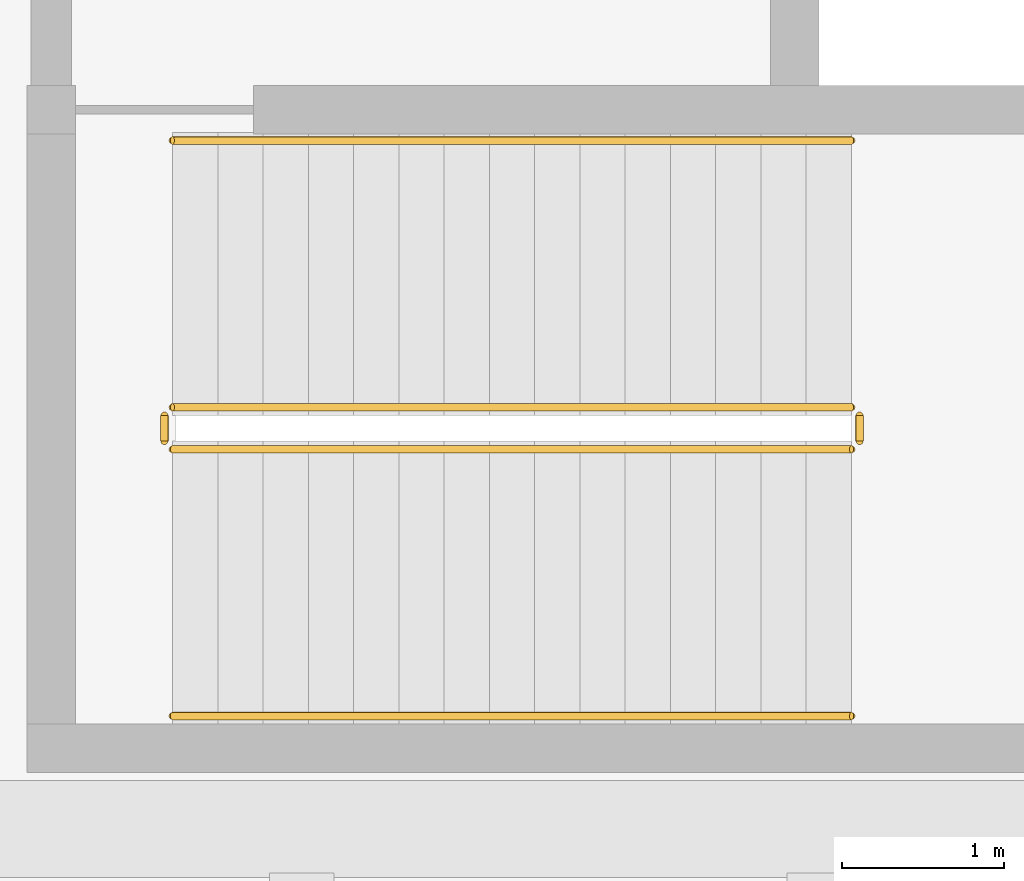
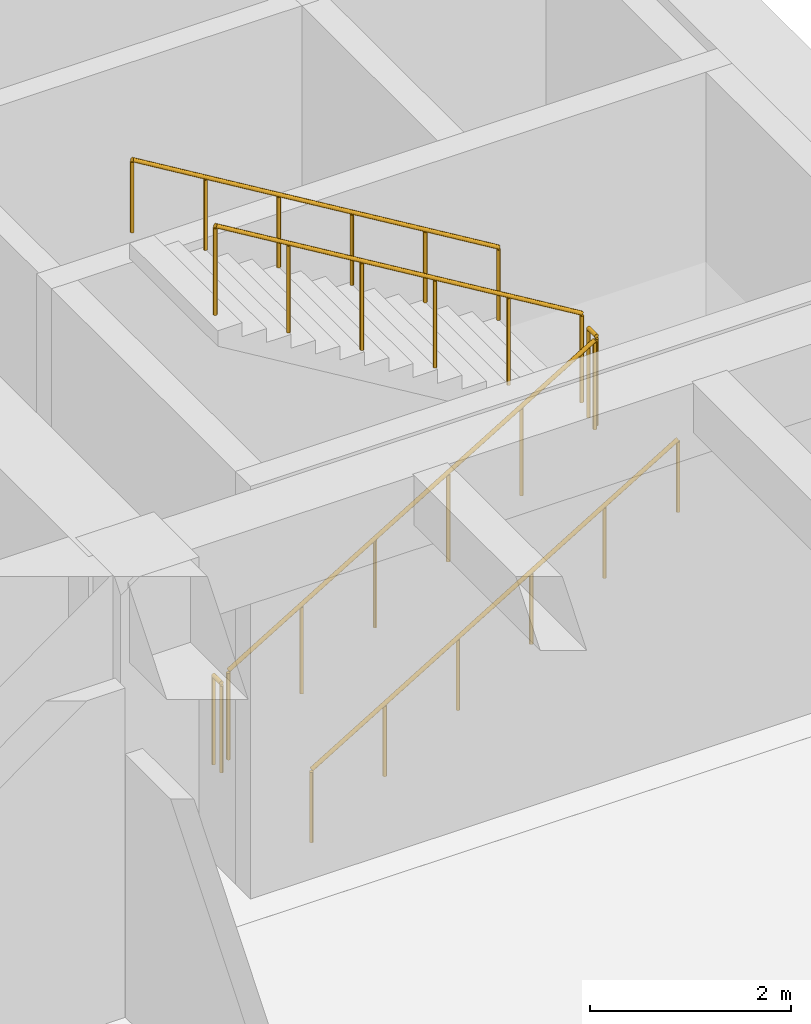
# One storey, part 18 of 19: 6 railings.
"""IFC4 building model written with IfcOpenShell, lengths in metres."""

from ifc_helpers import new_model, si_unit, direction, frame, origin, origin_2d, place, context, subcontext, project, spatial, circle, extrude, material, type_object, element, save


model = new_model("IFC4")

# Units and contexts
model_context = context("Model", 3, precision=1e-05, world=origin(), true_north=direction((0.0, 1.0)))
body_context = subcontext(model_context, "Body", "Model", "MODEL_VIEW")
ifc_project = project(units=[si_unit("LENGTHUNIT", "METRE"), si_unit("AREAUNIT", "SQUARE_METRE"), si_unit("VOLUMEUNIT", "CUBIC_METRE"), si_unit("PLANEANGLEUNIT", "RADIAN"), si_unit("MASSUNIT", "GRAM", prefix="KILO")], contexts=[model_context])

# Site, building, storey
site_placement = place(None, origin())
site = spatial("IfcSite", under=ifc_project, at=site_placement, CompositionType="ELEMENT")
building_placement = place(site_placement, origin())
building = spatial("IfcBuilding", under=site, at=building_placement, Name="Coralgate Yard Interchange", CompositionType="ELEMENT")
storey_placement = place(building_placement, frame((0.0, 0.0, -5.39990234375)))
storey = spatial("IfcBuildingStorey", under=building, at=storey_placement, Name="B1", CompositionType="ELEMENT", Elevation=-5.39990234375)

# Railings
ifc_material_1 = material(Name="Grade 316 marine stainless steel and toughened glass balustrade", Category="steel")
railing_type_1 = type_object("IfcRailingType", Name="RLG-GD1100", PredefinedType="BALUSTRADE", material=ifc_material_1)
railing_1_placement = place(storey_placement, frame((50.39990234375, 79.14990234375, 0.168701171875)))
element("IfcRailing", 1, at=railing_1_placement, inside=storey, type_object=railing_type_1, Name="B1 ST-05 stair guard 1", PredefinedType="BALUSTRADE", context=body_context, shape_type="SweptSolid", body=[
    extrude(circle(Radius=0.02392578125, at=origin_2d()), frame((0.0, 0.0, 1.076171875), z_axis=(0.856489757249, 0.0, 0.516164020179), x_axis=(0.0, 1.0, 0.0)), (0.0, 0.0, 1.0), 4.904052734375),
    extrude(circle(Radius=0.02099609375, at=origin_2d()), origin(), (0.0, 0.0, 1.0), 1.051513671875),
    extrude(circle(Radius=0.02099609375, at=origin_2d()), frame((0.840087890625, 0.0, 0.50634765625)), (0.0, 0.0, 1.0), 1.051513671875),
    extrude(circle(Radius=0.02099609375, at=origin_2d()), frame((1.68017578125, 0.0, 1.012451171875)), (0.0, 0.0, 1.0), 1.051513671875),
    extrude(circle(Radius=0.02099609375, at=origin_2d()), frame((2.52001953125, 0.0, 1.518798828125)), (0.0, 0.0, 1.0), 1.051513671875),
    extrude(circle(Radius=0.02099609375, at=origin_2d()), frame((3.360107421875, 0.0, 2.02490234375)), (0.0, 0.0, 1.0), 1.051513671875),
    extrude(circle(Radius=0.02099609375, at=origin_2d()), frame((4.2001953125, 0.0, 2.53125)), (0.0, 0.0, 1.0), 1.051513671875),
])
railing_2_placement = place(storey_placement, frame((54.64990234375, 79.199951171875, 2.699951171875)))
element("IfcRailing", 2, at=railing_2_placement, inside=storey, type_object=railing_type_1, Name="B1 ST-05 stair guard 2", PredefinedType="BALUSTRADE", context=body_context, shape_type="SweptSolid", body=[
    extrude(circle(Radius=0.02392578125, at=origin_2d()), frame((0.0, 0.0, 1.076171875), z_axis=(0.0, 1.0, 0.0), x_axis=(-1.0, 0.0, 0.0)), (0.0, 0.0, 1.0), 0.16015625),
    extrude(circle(Radius=0.02099609375, at=origin_2d()), origin(), (0.0, 0.0, 1.0), 1.051513671875),
    extrude(circle(Radius=0.02099609375, at=origin_2d()), frame((0.0, 0.16015625, 0.0)), (0.0, 0.0, 1.0), 1.051513671875),
])
railing_3_placement = place(storey_placement, frame((54.60009765625, 79.409912109375, 2.86865234375)))
element("IfcRailing", 3, at=railing_3_placement, inside=storey, type_object=railing_type_1, Name="B1 ST-05 stair guard 3", PredefinedType="BALUSTRADE", context=body_context, shape_type="SweptSolid", body=[
    extrude(circle(Radius=0.02392578125, at=origin_2d()), frame((0.0, 0.0, 1.076171875), z_axis=(-0.856489757249, 0.0, 0.516164020179), x_axis=(0.0, -1.0, 0.0)), (0.0, 0.0, 1.0), 4.904052734375),
    extrude(circle(Radius=0.02099609375, at=origin_2d()), origin(), (0.0, 0.0, 1.0), 1.051513671875),
    extrude(circle(Radius=0.02099609375, at=origin_2d()), frame((-0.840087890625, 0.0, 0.50634765625)), (0.0, 0.0, 1.0), 1.051513671875),
    extrude(circle(Radius=0.02099609375, at=origin_2d()), frame((-1.68017578125, 0.0, 1.012451171875)), (0.0, 0.0, 1.0), 1.051513671875),
    extrude(circle(Radius=0.02099609375, at=origin_2d()), frame((-2.52001953125, 0.0, 1.518798828125)), (0.0, 0.0, 1.0), 1.051513671875),
    extrude(circle(Radius=0.02099609375, at=origin_2d()), frame((-3.360107421875, 0.0, 2.02490234375)), (0.0, 0.0, 1.0), 1.051513671875),
    extrude(circle(Radius=0.02099609375, at=origin_2d()), frame((-4.2001953125, 0.0, 2.53125)), (0.0, 0.0, 1.0), 1.051513671875),
])
railing_4_placement = place(storey_placement, frame((50.35009765625, 79.199951171875, 0.0)))
element("IfcRailing", 4, at=railing_4_placement, inside=storey, type_object=railing_type_1, Name="B1 ST-05 stair guard 4", PredefinedType="BALUSTRADE", context=body_context, shape_type="SweptSolid", body=[
    extrude(circle(Radius=0.02392578125, at=origin_2d()), frame((0.0, 0.0, 1.076171875), z_axis=(0.0, 1.0, 0.0), x_axis=(-1.0, 0.0, 0.0)), (0.0, 0.0, 1.0), 0.16015625),
    extrude(circle(Radius=0.02099609375, at=origin_2d()), origin(), (0.0, 0.0, 1.0), 1.051513671875),
    extrude(circle(Radius=0.02099609375, at=origin_2d()), frame((0.0, 0.16015625, 0.0)), (0.0, 0.0, 1.0), 1.051513671875),
])
ifc_material_2 = material(Name="Grade 316 marine stainless steel", Category="steel")
railing_type_2 = type_object("IfcRailingType", Name="RLG-HR900", PredefinedType="HANDRAIL", material=ifc_material_2)
railing_5_placement = place(storey_placement, frame((50.39990234375, 77.5, 0.168701171875)))
element("IfcRailing", 5, at=railing_5_placement, inside=storey, type_object=railing_type_2, Name="B1 ST-05 stair handrail 1", PredefinedType="HANDRAIL", context=body_context, shape_type="SweptSolid", body=[
    extrude(circle(Radius=0.02392578125, at=origin_2d()), frame((0.0, 0.0, 0.8759765625), z_axis=(0.856489757249, 0.0, 0.516164020179), x_axis=(0.0, 1.0, 0.0)), (0.0, 0.0, 1.0), 4.904052734375),
    extrude(circle(Radius=0.02099609375, at=origin_2d()), origin(), (0.0, 0.0, 1.0), 0.851318359375),
    extrude(circle(Radius=0.02099609375, at=origin_2d()), frame((0.840087890625, 0.0, 0.50634765625)), (0.0, 0.0, 1.0), 0.851318359375),
    extrude(circle(Radius=0.02099609375, at=origin_2d()), frame((1.68017578125, 0.0, 1.012451171875)), (0.0, 0.0, 1.0), 0.851318359375),
    extrude(circle(Radius=0.02099609375, at=origin_2d()), frame((2.52001953125, 0.0, 1.518798828125)), (0.0, 0.0, 1.0), 0.851318359375),
    extrude(circle(Radius=0.02099609375, at=origin_2d()), frame((3.360107421875, 0.0, 2.02490234375)), (0.0, 0.0, 1.0), 0.851318359375),
    extrude(circle(Radius=0.02099609375, at=origin_2d()), frame((4.2001953125, 0.0, 2.53125)), (0.0, 0.0, 1.0), 0.851318359375),
])
railing_6_placement = place(storey_placement, frame((54.60009765625, 81.06005859375, 2.86865234375)))
element("IfcRailing", 6, at=railing_6_placement, inside=storey, type_object=railing_type_2, Name="B1 ST-05 stair handrail 2", PredefinedType="HANDRAIL", context=body_context, shape_type="SweptSolid", body=[
    extrude(circle(Radius=0.02392578125, at=origin_2d()), frame((0.0, 0.0, 0.8759765625), z_axis=(-0.856489757249, 0.0, 0.516164020179), x_axis=(0.0, -1.0, 0.0)), (0.0, 0.0, 1.0), 4.904052734375),
    extrude(circle(Radius=0.02099609375, at=origin_2d()), origin(), (0.0, 0.0, 1.0), 0.851318359375),
    extrude(circle(Radius=0.02099609375, at=origin_2d()), frame((-0.840087890625, 0.0, 0.50634765625)), (0.0, 0.0, 1.0), 0.851318359375),
    extrude(circle(Radius=0.02099609375, at=origin_2d()), frame((-1.68017578125, 0.0, 1.012451171875)), (0.0, 0.0, 1.0), 0.851318359375),
    extrude(circle(Radius=0.02099609375, at=origin_2d()), frame((-2.52001953125, 0.0, 1.518798828125)), (0.0, 0.0, 1.0), 0.851318359375),
    extrude(circle(Radius=0.02099609375, at=origin_2d()), frame((-3.360107421875, 0.0, 2.02490234375)), (0.0, 0.0, 1.0), 0.851318359375),
    extrude(circle(Radius=0.02099609375, at=origin_2d()), frame((-4.2001953125, 0.0, 2.53125)), (0.0, 0.0, 1.0), 0.851318359375),
])

save(model, "model.ifc")
